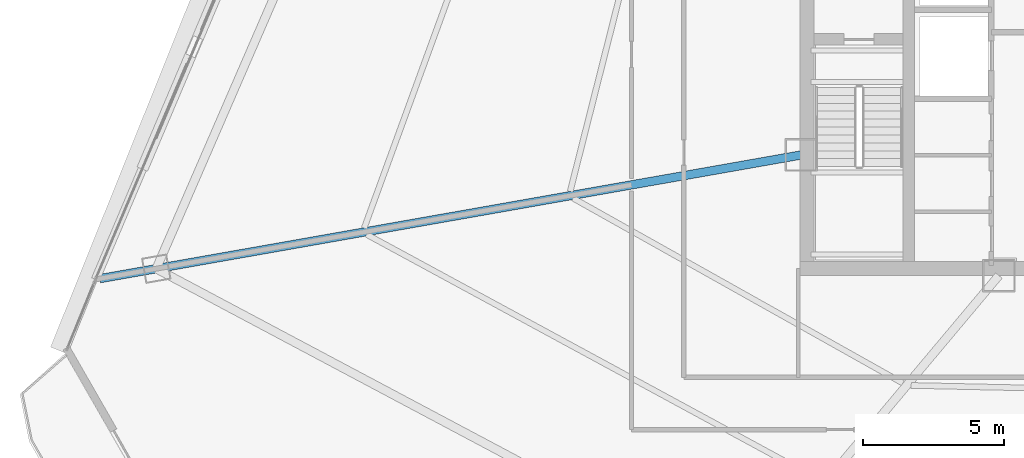
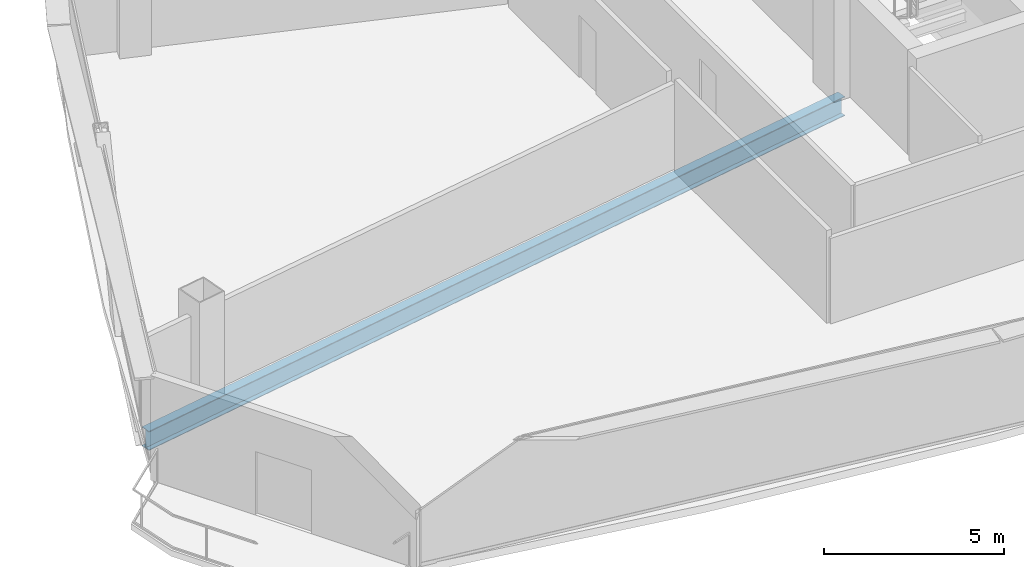
# One storey, part 5 of 37: 1 beam.
"""IFC4 building model written with IfcOpenShell, lengths in metres."""

from ifc_helpers import new_model, si_unit, direction, frame, origin, origin_2d, place, context, subcontext, project, spatial, i_section, extrude, source, transform, mapped, material, material_profile, profile_set, type_object, element, save


model = new_model("IFC4")

# Units and contexts
model_context = context("Model", 3, precision=1e-05, world=origin(), true_north=direction((0.0, 1.0)))
body_context = subcontext(model_context, "Body", "Model", "MODEL_VIEW")
ifc_project = project(units=[si_unit("LENGTHUNIT", "METRE"), si_unit("AREAUNIT", "SQUARE_METRE"), si_unit("VOLUMEUNIT", "CUBIC_METRE"), si_unit("PLANEANGLEUNIT", "RADIAN"), si_unit("MASSUNIT", "GRAM", prefix="KILO"), si_unit("THERMODYNAMICTEMPERATUREUNIT", "KELVIN"), si_unit("POWERUNIT", "WATT")], contexts=[model_context])

# Site, building, storey
site_placement = place(None, origin())
site = spatial("IfcSite", under=ifc_project, at=site_placement, CompositionType="ELEMENT")
building_placement = place(site_placement, origin())
building = spatial("IfcBuilding", under=site, at=building_placement, Name="Yunzhuo Pagoda Commons", CompositionType="ELEMENT")
storey_placement = place(building_placement, frame((0.0, 0.0, 196.159912109375)))
storey = spatial("IfcBuildingStorey", under=building, at=storey_placement, Name="L49", CompositionType="ELEMENT", Elevation=196.159912109375)

# Beam
ifc_material = material(Name="Structural steel Q355B", Category="steel")
ifc_material_profile = material_profile(ifc_material, i_section(OverallWidth=0.300048828125, OverallDepth=0.64990234375, WebThickness=0.012939453125, FlangeThickness=0.02197265625, at=origin_2d()), Name="Structural steel Q355B")
ifc_profile_set = profile_set([ifc_material_profile], Name="Structural steel Q355B")
beam_type = type_object("IfcBeamType", Name="B-RG2 Beam HN 650x300x13x22", PredefinedType="BEAM", material=ifc_profile_set)
shared_shape = source(origin(), body_context, "Body", "SweptSolid", [
    extrude(i_section(OverallWidth=0.300048828125, OverallDepth=0.64990234375, WebThickness=0.012939453125, FlangeThickness=0.02197265625, at=origin_2d()), origin(), (0.0, 0.0, 1.0), 25.183349609375),
])
beam_placement = place(storey_placement, frame((10.79931640625, 27.140380859375, -0.5849609375), z_axis=(0.984807753026, 0.173648177589, 0.0), x_axis=(-0.173648177589, 0.984807753026, 0.0)))
element("IfcBeam", 1, at=beam_placement, inside=storey, type_object=beam_type, Name="L49 radial floor girder F3C4", PredefinedType="BEAM", context=body_context, shape_type="MappedRepresentation", body=[
    mapped(shared_shape, transform((0.0, 0.0, 0.0), scale=1.0)),
])

save(model, "model.ifc")
